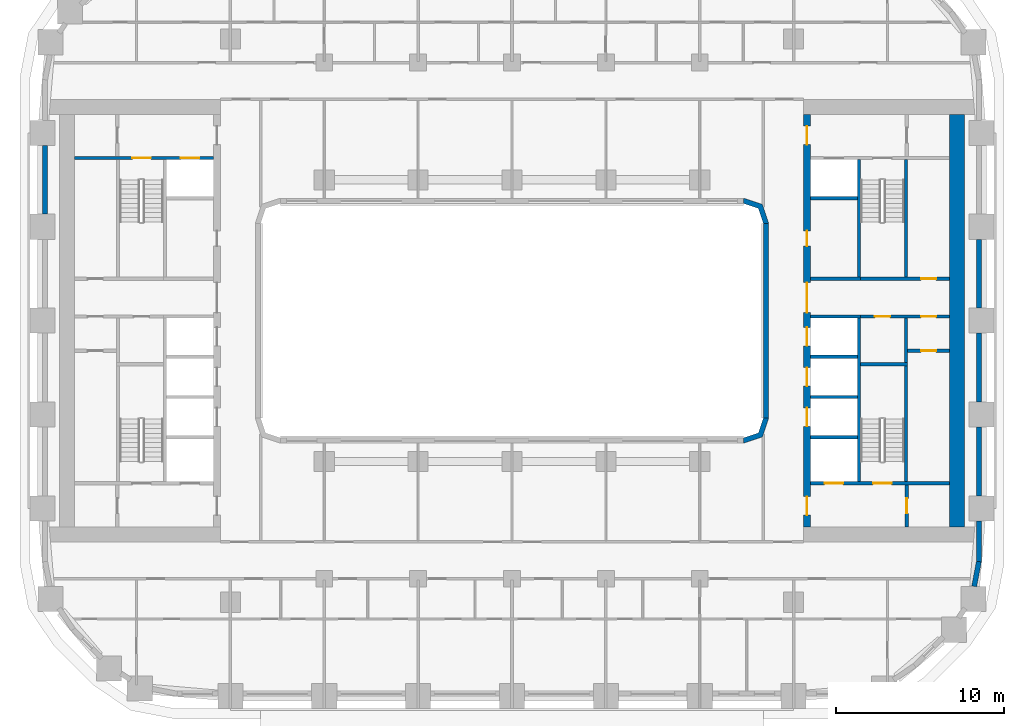
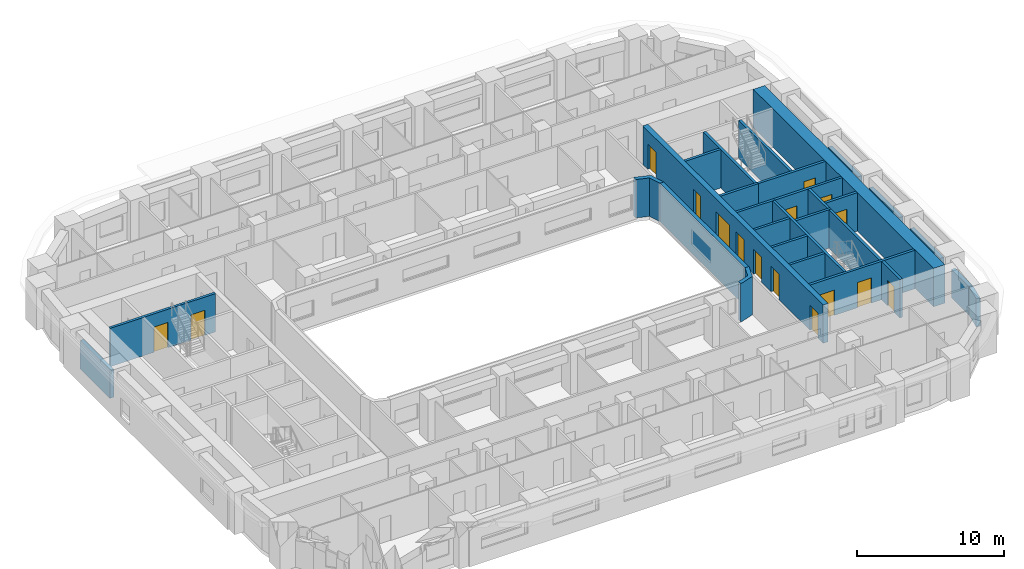
# One storey, part 6 of 20: 29 walls, 16 doors, 16 openings.
"""IFC4 building model written with IfcOpenShell, lengths in metres."""

from ifc_helpers import new_model, si_unit, direction, frame, frame_2d, origin, place, context, subcontext, project, spatial, polyline, rectangle, outline, extrude, material, layer, layer_set, type_object, element, fill, save


model = new_model("IFC4")

# Units and contexts
model_context = context("Model", 3, precision=1e-05, world=origin(), true_north=direction((0.0, 1.0)))
body_context = subcontext(model_context, "Body", "Model", "MODEL_VIEW")
ifc_project = project(units=[si_unit("LENGTHUNIT", "METRE"), si_unit("AREAUNIT", "SQUARE_METRE"), si_unit("VOLUMEUNIT", "CUBIC_METRE"), si_unit("PLANEANGLEUNIT", "RADIAN"), si_unit("MASSUNIT", "GRAM", prefix="KILO")], contexts=[model_context])

# Site, building, storey
site_placement = place(None, origin())
site = spatial("IfcSite", under=ifc_project, at=site_placement, CompositionType="ELEMENT")
building_placement = place(site_placement, origin())
building = spatial("IfcBuilding", under=site, at=building_placement, Name="Kiln Ring Residences", CompositionType="ELEMENT")
storey_placement = place(building_placement, frame((0.0, 0.0, 37.5)))
storey = spatial("IfcBuildingStorey", under=building, at=storey_placement, Name="L08", CompositionType="ELEMENT", Elevation=37.5)

# Wall
ifc_material_1 = material(Name="Gypsum board on steel studs", Category="steel")
ifc_layer_1 = layer(ifc_material_1, 0.199951171875)
ifc_layer_set_1 = layer_set([ifc_layer_1], Name="CORE-PARTITION-200")
wall_type_1 = type_object("IfcWallType", Name="CORE-PARTITION-200", PredefinedType="PARTITIONING", material=ifc_layer_set_1)
wall_1_placement = place(storey_placement, frame((23.5, -2.5, 0.0), z_axis=(0.0, 0.0, 1.0), x_axis=(0.0, 1.0, 0.0)))
element("IfcWall", 1, at=wall_1_placement, inside=storey, type_object=wall_type_1, Name="Core partition east L08 1", PredefinedType="PARTITIONING", context=body_context, shape_type="SweptSolid", body=[
    extrude(rectangle(XDim=2.64990234375, YDim=0.199951171875, at=frame_2d((1.324951171875, 0.0))), origin(), (0.0, 0.0, 1.0), 3.199951171875),
])

# Wall, openings, doors
wall_2_placement = place(storey_placement, frame((20.800048828125, 0.25, 0.0), z_axis=(0.0, 0.0, 1.0), x_axis=(1.0, 0.0, 0.0)))
wall_2 = element("IfcWall", 2, at=wall_2_placement, inside=storey, type_object=wall_type_1, Name="Core partition east L08 2", PredefinedType="PARTITIONING", context=body_context, shape_type="SweptSolid", body=[
    extrude(rectangle(XDim=5.300048828125, YDim=0.199951171875, at=frame_2d((2.64990234375, 0.0))), origin(), (0.0, 0.0, 1.0), 3.199951171875),
])
opening_1_placement = place(wall_2_placement, frame((0.85009765625, 0.0, 0.0)))
opening_1 = element("IfcOpeningElement", 3, at=opening_1_placement, cuts=wall_2, Name="Opening L08-CE14", PredefinedType="OPENING", context=body_context, shape_type="SweptSolid", body=[
    extrude(rectangle(XDim=0.89990234375, YDim=2.10009765625, at=frame_2d((0.449951171875, 1.050048828125))), frame((0.0, 0.10986328125, 0.0), z_axis=(0.0, -1.0, 0.0), x_axis=(1.0, 0.0, 0.0)), (0.0, 0.0, 1.0), 0.219970703125),
])
opening_2_placement = place(wall_2_placement, frame((3.60009765625, 0.0, 0.0)))
opening_2 = element("IfcOpeningElement", 4, at=opening_2_placement, cuts=wall_2, Name="Opening L08-CE16", PredefinedType="OPENING", context=body_context, shape_type="SweptSolid", body=[
    extrude(rectangle(XDim=0.89990234375, YDim=2.10009765625, at=frame_2d((0.449951171875, 1.050048828125))), frame((0.0, 0.10986328125, 0.0), z_axis=(0.0, -1.0, 0.0), x_axis=(1.0, 0.0, 0.0)), (0.0, 0.0, 1.0), 0.219970703125),
])
ifc_material_2 = material(Name="Steel door leaf", Category="steel")
door_type_1 = type_object("IfcDoorType", Name="CORE-DOOR-ROOM", OperationType="SINGLE_SWING_LEFT", PredefinedType="DOOR", material=ifc_material_2)
door_1_placement = place(opening_1_placement, origin())
door_1 = element("IfcDoor", 5, at=door_1_placement, inside=storey, type_object=door_type_1, Name="Linen store L08-CE14", OperationType="SINGLE_SWING_LEFT", OverallHeight=2.10009765625, OverallWidth=0.89990234375, PredefinedType="DOOR", context=body_context, shape_type="SweptSolid", body=[
    extrude(rectangle(XDim=0.89990234375, YDim=2.10009765625, at=frame_2d((0.449951171875, 1.050048828125))), frame((0.0, 0.02490234375, 0.0), z_axis=(0.0, -1.0, 0.0), x_axis=(1.0, 0.0, 0.0)), (0.0, 0.0, 1.0), 0.050048828125),
])
fill(opening_1, door_1)
door_2_placement = place(opening_2_placement, origin())
door_2 = element("IfcDoor", 6, at=door_2_placement, inside=storey, type_object=door_type_1, Name="Pump and valve room L08-CE16", OperationType="SINGLE_SWING_LEFT", OverallHeight=2.10009765625, OverallWidth=0.89990234375, PredefinedType="DOOR", context=body_context, shape_type="SweptSolid", body=[
    extrude(rectangle(XDim=0.89990234375, YDim=2.10009765625, at=frame_2d((0.449951171875, 1.050048828125))), frame((0.0, 0.02490234375, 0.0), z_axis=(0.0, -1.0, 0.0), x_axis=(1.0, 0.0, 0.0)), (0.0, 0.0, 1.0), 0.050048828125),
])
fill(opening_2, door_2)

# Wall, opening, door
wall_3_placement = place(storey_placement, frame((23.550048828125, -12.300048828125, 0.0), z_axis=(0.0, 0.0, 1.0), x_axis=(0.0, 1.0, 0.0)))
wall_3 = element("IfcWall", 7, at=wall_3_placement, inside=storey, type_object=wall_type_1, Name="Core partition east L08 4", PredefinedType="PARTITIONING", context=body_context, shape_type="SweptSolid", body=[
    extrude(rectangle(XDim=2.5, YDim=0.199951171875, at=frame_2d((1.25, 0.0))), origin(), (0.0, 0.0, 1.0), 3.199951171875),
])
opening_3_placement = place(wall_3_placement, frame((0.800048828125, 0.0, 0.0)))
opening_3 = element("IfcOpeningElement", 8, at=opening_3_placement, cuts=wall_3, Name="Opening L08-CE10", PredefinedType="OPENING", context=body_context, shape_type="SweptSolid", body=[
    extrude(rectangle(XDim=0.89990234375, YDim=2.10009765625, at=frame_2d((0.449951171875, 1.050048828125))), frame((0.0, 0.10986328125, 0.0), z_axis=(0.0, -1.0, 0.0), x_axis=(1.0, 0.0, 0.0)), (0.0, 0.0, 1.0), 0.219970703125),
])
door_3_placement = place(opening_3_placement, origin())
door_3 = element("IfcDoor", 9, at=door_3_placement, inside=storey, type_object=door_type_1, Name="Store L08-CE10", OperationType="SINGLE_SWING_LEFT", OverallHeight=2.10009765625, OverallWidth=0.89990234375, PredefinedType="DOOR", context=body_context, shape_type="SweptSolid", body=[
    extrude(rectangle(XDim=0.89990234375, YDim=2.10009765625, at=frame_2d((0.449951171875, 1.050048828125))), frame((0.0, 0.02490234375, 0.0), z_axis=(0.0, -1.0, 0.0), x_axis=(1.0, 0.0, 0.0)), (0.0, 0.0, 1.0), 0.050048828125),
])
fill(opening_3, door_3)

wall_4_placement = place(storey_placement, frame((23.60009765625, -1.800048828125, 0.0), z_axis=(0.0, 0.0, 1.0), x_axis=(1.0, 0.0, 0.0)))
wall_4 = element("IfcWall", 10, at=wall_4_placement, inside=storey, type_object=wall_type_1, Name="Core partition east L08 5", PredefinedType="PARTITIONING", context=body_context, shape_type="SweptSolid", body=[
    extrude(rectangle(XDim=2.5, YDim=0.199951171875, at=frame_2d((1.25, 0.0))), origin(), (0.0, 0.0, 1.0), 3.199951171875),
])
opening_4_placement = place(wall_4_placement, frame((0.800048828125, 0.0, 0.0)))
opening_4 = element("IfcOpeningElement", 11, at=opening_4_placement, cuts=wall_4, Name="Opening L08-CE15", PredefinedType="OPENING", context=body_context, shape_type="SweptSolid", body=[
    extrude(rectangle(XDim=0.89990234375, YDim=2.10009765625, at=frame_2d((0.449951171875, 1.050048828125))), frame((0.0, 0.10986328125, 0.0), z_axis=(0.0, -1.0, 0.0), x_axis=(1.0, 0.0, 0.0)), (0.0, 0.0, 1.0), 0.219970703125),
])
door_4_placement = place(opening_4_placement, origin())
door_4 = element("IfcDoor", 12, at=door_4_placement, inside=storey, type_object=door_type_1, Name="Pump and valve room L08-CE15", OperationType="SINGLE_SWING_LEFT", OverallHeight=2.10009765625, OverallWidth=0.89990234375, PredefinedType="DOOR", context=body_context, shape_type="SweptSolid", body=[
    extrude(rectangle(XDim=0.89990234375, YDim=2.10009765625, at=frame_2d((0.449951171875, 1.050048828125))), frame((0.0, 0.02490234375, 0.0), z_axis=(0.0, -1.0, 0.0), x_axis=(1.0, 0.0, 0.0)), (0.0, 0.0, 1.0), 0.050048828125),
])
fill(opening_4, door_4)

# Walls
ifc_material_3 = material(Name="Gypsum shaft wall system")
ifc_layer_2 = layer(ifc_material_3, 0.199951171875)
ifc_layer_set_2 = layer_set([ifc_layer_2], Name="CORE-SHAFT-WALL-200")
wall_type_2 = type_object("IfcWallType", Name="CORE-SHAFT-WALL-200", PredefinedType="PARTITIONING", material=ifc_layer_set_2)
for number, where, z_axis, x_axis, name in (
    (13, (17.800048828125, -6.949951171875, 0.0), (0.0, 0.0, 1.0), (1.0, 0.0, 0.0), "Core partition east L08 6"),
    (14, (17.800048828125, -4.550048828125, 0.0), (0.0, 0.0, 1.0), (1.0, 0.0, 0.0), "Core partition east L08 7"),
    (15, (17.800048828125, -2.14990234375, 0.0), (0.0, 0.0, 1.0), (1.0, 0.0, 0.0), "Core partition east L08 8"),
):
    element("IfcWall", number, at=place(storey_placement, frame(where, z_axis=z_axis, x_axis=x_axis)), inside=storey, type_object=wall_type_2, Name=name, PredefinedType="PARTITIONING", context=body_context, shape_type="SweptSolid", body=[
        extrude(rectangle(XDim=2.800048828125, YDim=0.199951171875, at=frame_2d((1.39990234375, 0.0))), origin(), (0.0, 0.0, 1.0), 3.199951171875),
    ])
for number, where, z_axis, x_axis, name in (
    (16, (17.800048828125, 0.25, 0.0), (0.0, 0.0, 1.0), (1.0, 0.0, 0.0), "Core partition east L08 9"),
    (17, (17.800048828125, 2.5, 0.0), (0.0, 0.0, 1.0), (1.0, 0.0, 0.0), "Core partition east L08 10"),
):
    element("IfcWall", number, at=place(storey_placement, frame(where, z_axis=z_axis, x_axis=x_axis)), inside=storey, type_object=wall_type_2, Name=name, PredefinedType="PARTITIONING", context=body_context, shape_type="SweptSolid", body=[
        extrude(rectangle(XDim=3.0, YDim=0.199951171875, at=frame_2d((1.5, 0.0))), origin(), (0.0, 0.0, 1.0), 3.199951171875),
    ])
wall_5_placement = place(storey_placement, frame((17.800048828125, 7.300048828125, 0.0), z_axis=(0.0, 0.0, 1.0), x_axis=(1.0, 0.0, 0.0)))
element("IfcWall", 18, at=wall_5_placement, inside=storey, type_object=wall_type_2, Name="Core partition east L08 11", PredefinedType="PARTITIONING", context=body_context, shape_type="SweptSolid", body=[
    extrude(rectangle(XDim=2.800048828125, YDim=0.199951171875, at=frame_2d((1.39990234375, 0.0))), origin(), (0.0, 0.0, 1.0), 3.199951171875),
])

# Wall, openings, doors
ifc_material_4 = material(Name="Concrete C40/50", Category="concrete")
ifc_layer_3 = layer(ifc_material_4, 0.199951171875)
ifc_layer_set_3 = layer_set([ifc_layer_3], Name="CORE-WALL-RC200")
wall_type_3 = type_object("IfcWallType", Name="CORE-WALL-RC200", PredefinedType="SHEAR", material=ifc_layer_set_3)
wall_6_placement = place(storey_placement, frame((-17.800048828125, 9.699951171875, 0.0), z_axis=(0.0, 0.0, 1.0), x_axis=(-1.0, 0.0, 0.0)))
wall_6 = element("IfcWall", 19, at=wall_6_placement, inside=storey, type_object=wall_type_3, Name="Core wall west L08 9", PredefinedType="SHEAR", context=body_context, shape_type="SweptSolid", body=[
    extrude(rectangle(XDim=8.300048828125, YDim=0.199951171875, at=frame_2d((4.14990234375, 0.0))), origin(), (0.0, 0.0, 1.0), 3.199951171875),
])
opening_5_placement = place(wall_6_placement, frame((0.85009765625, 0.0, 0.0)))
opening_5 = element("IfcOpeningElement", 20, at=opening_5_placement, cuts=wall_6, Name="Opening L08-CW06", PredefinedType="OPENING", context=body_context, shape_type="SweptSolid", body=[
    extrude(rectangle(XDim=1.10009765625, YDim=2.10009765625, at=frame_2d((0.550048828125, 1.050048828125))), frame((0.0, 0.10986328125, 0.0), z_axis=(0.0, -1.0, 0.0), x_axis=(1.0, 0.0, 0.0)), (0.0, 0.0, 1.0), 0.219970703125),
])
opening_6_placement = place(wall_6_placement, frame((3.75, 0.0, 0.0)))
opening_6 = element("IfcOpeningElement", 21, at=opening_6_placement, cuts=wall_6, Name="Opening L08-CW11", PredefinedType="OPENING", context=body_context, shape_type="SweptSolid", body=[
    extrude(rectangle(XDim=1.10009765625, YDim=2.10009765625, at=frame_2d((0.550048828125, 1.050048828125))), frame((0.0, 0.10986328125, 0.0), z_axis=(0.0, -1.0, 0.0), x_axis=(1.0, 0.0, 0.0)), (0.0, 0.0, 1.0), 0.219970703125),
])
ifc_material_5 = material(Name="Steel door leaf", Category="steel")
door_type_2 = type_object("IfcDoorType", Name="CORE-DOOR-LD", OperationType="DOUBLE_DOOR_SLIDING", PredefinedType="DOOR", material=ifc_material_5)
door_5_placement = place(opening_5_placement, origin())
door_5 = element("IfcDoor", 22, at=door_5_placement, inside=storey, type_object=door_type_2, Name="LD W-FF L08-CW06", OperationType="DOUBLE_DOOR_SLIDING", OverallHeight=2.10009765625, OverallWidth=1.10009765625, PredefinedType="DOOR", context=body_context, shape_type="SweptSolid", body=[
    extrude(rectangle(XDim=1.10009765625, YDim=2.10009765625, at=frame_2d((0.550048828125, 1.050048828125))), frame((0.0, 0.02490234375, 0.0), z_axis=(0.0, -1.0, 0.0), x_axis=(1.0, 0.0, 0.0)), (0.0, 0.0, 1.0), 0.050048828125),
])
fill(opening_5, door_5)
ifc_material_6 = material(Name="Steel door leaf", Category="steel")
door_type_3 = type_object("IfcDoorType", Name="CORE-DOOR-STAIR", OperationType="SINGLE_SWING_LEFT", PredefinedType="DOOR", material=ifc_material_6)
door_6_placement = place(opening_6_placement, origin())
door_6 = element("IfcDoor", 23, at=door_6_placement, inside=storey, type_object=door_type_3, Name="Stair W-STN L08-CW11", OperationType="SINGLE_SWING_LEFT", OverallHeight=2.10009765625, OverallWidth=1.10009765625, PredefinedType="DOOR", context=body_context, shape_type="SweptSolid", body=[
    extrude(rectangle(XDim=1.10009765625, YDim=2.10009765625, at=frame_2d((0.550048828125, 1.050048828125))), frame((0.0, 0.02490234375, 0.0), z_axis=(0.0, -1.0, 0.0), x_axis=(1.0, 0.0, 0.0)), (0.0, 0.0, 1.0), 0.050048828125),
])
fill(opening_6, door_6)

# Walls
wall_7_placement = place(storey_placement, frame((20.699951171875, 2.60009765625, 0.0), z_axis=(0.0, 0.0, 1.0), x_axis=(0.0, 1.0, 0.0)))
element("IfcWall", 24, at=wall_7_placement, inside=storey, type_object=wall_type_3, Name="Core wall east L08 1", PredefinedType="SHEAR", context=body_context, shape_type="SweptSolid", body=[
    extrude(rectangle(XDim=7.0, YDim=0.199951171875, at=frame_2d((3.5, 0.0))), origin(), (0.0, 0.0, 1.0), 3.199951171875),
])
wall_8_placement = place(storey_placement, frame((20.699951171875, -9.60009765625, 0.0), z_axis=(0.0, 0.0, 1.0), x_axis=(0.0, 1.0, 0.0)))
element("IfcWall", 25, at=wall_8_placement, inside=storey, type_object=wall_type_3, Name="Core wall east L08 2", PredefinedType="SHEAR", context=body_context, shape_type="SweptSolid", body=[
    extrude(rectangle(XDim=9.75, YDim=0.199951171875, at=frame_2d((4.875, 0.0))), origin(), (0.0, 0.0, 1.0), 3.199951171875),
])

# Wall, opening, door
wall_9_placement = place(storey_placement, frame((20.800048828125, 2.5, 0.0), z_axis=(0.0, 0.0, 1.0), x_axis=(1.0, 0.0, 0.0)))
wall_9 = element("IfcWall", 26, at=wall_9_placement, inside=storey, type_object=wall_type_3, Name="Core wall east L08 3", PredefinedType="SHEAR", context=body_context, shape_type="SweptSolid", body=[
    extrude(rectangle(XDim=5.300048828125, YDim=0.199951171875, at=frame_2d((2.64990234375, 0.0))), origin(), (0.0, 0.0, 1.0), 3.199951171875),
])
opening_7_placement = place(wall_9_placement, frame((3.60009765625, 0.0, 0.0)))
opening_7 = element("IfcOpeningElement", 27, at=opening_7_placement, cuts=wall_9, Name="Opening L08-CE17", PredefinedType="OPENING", context=body_context, shape_type="SweptSolid", body=[
    extrude(rectangle(XDim=0.89990234375, YDim=2.10009765625, at=frame_2d((0.449951171875, 1.050048828125))), frame((0.0, 0.10986328125, 0.0), z_axis=(0.0, -1.0, 0.0), x_axis=(1.0, 0.0, 0.0)), (0.0, 0.0, 1.0), 0.219970703125),
])
door_7_placement = place(opening_7_placement, origin())
door_7 = element("IfcDoor", 28, at=door_7_placement, inside=storey, type_object=door_type_1, Name="Electrical plant room L08-CE17", OperationType="SINGLE_SWING_LEFT", OverallHeight=2.10009765625, OverallWidth=0.89990234375, PredefinedType="DOOR", context=body_context, shape_type="SweptSolid", body=[
    extrude(rectangle(XDim=0.89990234375, YDim=2.10009765625, at=frame_2d((0.449951171875, 1.050048828125))), frame((0.0, 0.02490234375, 0.0), z_axis=(0.0, -1.0, 0.0), x_axis=(1.0, 0.0, 0.0)), (0.0, 0.0, 1.0), 0.050048828125),
])
fill(opening_7, door_7)

# Wall, openings, doors
wall_10_placement = place(storey_placement, frame((17.800048828125, -9.699951171875, 0.0), z_axis=(0.0, 0.0, 1.0), x_axis=(1.0, 0.0, 0.0)))
wall_10 = element("IfcWall", 29, at=wall_10_placement, inside=storey, type_object=wall_type_3, Name="Core wall east L08 8", PredefinedType="SHEAR", context=body_context, shape_type="SweptSolid", body=[
    extrude(rectangle(XDim=8.300048828125, YDim=0.199951171875, at=frame_2d((4.14990234375, 0.0))), origin(), (0.0, 0.0, 1.0), 3.199951171875),
])
opening_8_placement = place(wall_10_placement, frame((0.85009765625, 0.0, 0.0)))
opening_8 = element("IfcOpeningElement", 30, at=opening_8_placement, cuts=wall_10, Name="Opening L08-CE01", PredefinedType="OPENING", context=body_context, shape_type="SweptSolid", body=[
    extrude(rectangle(XDim=1.10009765625, YDim=2.10009765625, at=frame_2d((0.550048828125, 1.050048828125))), frame((0.0, 0.10986328125, 0.0), z_axis=(0.0, -1.0, 0.0), x_axis=(1.0, 0.0, 0.0)), (0.0, 0.0, 1.0), 0.219970703125),
])
opening_9_placement = place(wall_10_placement, frame((3.75, 0.0, 0.0)))
opening_9 = element("IfcOpeningElement", 31, at=opening_9_placement, cuts=wall_10, Name="Opening L08-CE12", PredefinedType="OPENING", context=body_context, shape_type="SweptSolid", body=[
    extrude(rectangle(XDim=1.10009765625, YDim=2.10009765625, at=frame_2d((0.550048828125, 1.050048828125))), frame((0.0, 0.10986328125, 0.0), z_axis=(0.0, -1.0, 0.0), x_axis=(1.0, 0.0, 0.0)), (0.0, 0.0, 1.0), 0.219970703125),
])
door_8_placement = place(opening_8_placement, origin())
door_8 = element("IfcDoor", 32, at=door_8_placement, inside=storey, type_object=door_type_2, Name="LD E-SV L08-CE01", OperationType="DOUBLE_DOOR_SLIDING", OverallHeight=2.10009765625, OverallWidth=1.10009765625, PredefinedType="DOOR", context=body_context, shape_type="SweptSolid", body=[
    extrude(rectangle(XDim=1.10009765625, YDim=2.10009765625, at=frame_2d((0.550048828125, 1.050048828125))), frame((0.0, 0.02490234375, 0.0), z_axis=(0.0, -1.0, 0.0), x_axis=(1.0, 0.0, 0.0)), (0.0, 0.0, 1.0), 0.050048828125),
])
fill(opening_8, door_8)
door_9_placement = place(opening_9_placement, origin())
door_9 = element("IfcDoor", 33, at=door_9_placement, inside=storey, type_object=door_type_3, Name="Stair E-STS L08-CE12", OperationType="SINGLE_SWING_RIGHT", OverallHeight=2.10009765625, OverallWidth=1.10009765625, PredefinedType="DOOR", context=body_context, shape_type="SweptSolid", body=[
    extrude(rectangle(XDim=1.10009765625, YDim=2.10009765625, at=frame_2d((0.550048828125, 1.050048828125))), frame((0.0, 0.02490234375, 0.0), z_axis=(0.0, -1.0, 0.0), x_axis=(1.0, 0.0, 0.0)), (0.0, 0.0, 1.0), 0.050048828125),
])
fill(opening_9, door_9)

# Walls
wall_11_placement = place(storey_placement, frame((23.5, 2.60009765625, 0.0), z_axis=(0.0, 0.0, 1.0), x_axis=(0.0, 1.0, 0.0)))
element("IfcWall", 34, at=wall_11_placement, inside=storey, type_object=wall_type_3, Name="Core wall east L08 10", PredefinedType="SHEAR", context=body_context, shape_type="SweptSolid", body=[
    extrude(rectangle(XDim=7.0, YDim=0.199951171875, at=frame_2d((3.5, 0.0))), origin(), (0.0, 0.0, 1.0), 3.199951171875),
])
wall_12_placement = place(storey_placement, frame((23.5, -9.60009765625, 0.0), z_axis=(0.0, 0.0, 1.0), x_axis=(0.0, 1.0, 0.0)))
element("IfcWall", 35, at=wall_12_placement, inside=storey, type_object=wall_type_3, Name="Core wall east L08 11", PredefinedType="SHEAR", context=body_context, shape_type="SweptSolid", body=[
    extrude(rectangle(XDim=6.900146484375, YDim=0.199951171875, at=frame_2d((3.4501953125, 0.0))), origin(), (0.0, 0.0, 1.0), 3.199951171875),
])
wall_13_placement = place(storey_placement, frame((20.800048828125, -2.60009765625, 0.0), z_axis=(0.0, 0.0, 1.0), x_axis=(1.0, 0.0, 0.0)))
element("IfcWall", 36, at=wall_13_placement, inside=storey, type_object=wall_type_3, Name="Core wall east L08 12", PredefinedType="SHEAR", context=body_context, shape_type="SweptSolid", body=[
    extrude(rectangle(XDim=2.800048828125, YDim=0.199951171875, at=frame_2d((1.39990234375, 0.0))), origin(), (0.0, 0.0, 1.0), 3.199951171875),
])

# Wall, openings, doors
ifc_material_7 = material(Name="Concrete C60/75", Category="concrete")
ifc_layer_4 = layer(ifc_material_7, 0.39990234375)
ifc_layer_set_4 = layer_set([ifc_layer_4], Name="CORE-WALL-RC400")
wall_type_4 = type_object("IfcWallType", Name="CORE-WALL-RC400", PredefinedType="SHEAR", material=ifc_layer_set_4)
wall_14_placement = place(storey_placement, frame((17.60009765625, -12.300048828125, 0.0), z_axis=(0.0, 0.0, 1.0), x_axis=(0.0, 1.0, 0.0)))
wall_14 = element("IfcWall", 37, at=wall_14_placement, inside=storey, type_object=wall_type_4, Name="Core wall east L08 6", PredefinedType="SHEAR", context=body_context, shape_type="SweptSolid", body=[
    extrude(rectangle(XDim=24.60009765625, YDim=0.39990234375, at=frame_2d((12.300048828125, 0.0))), origin(), (0.0, 0.0, 1.0), 3.199951171875),
])
opening_10_placement = place(wall_14_placement, frame((6.0, 0.0, 0.0)))
opening_10 = element("IfcOpeningElement", 38, at=opening_10_placement, cuts=wall_14, Name="Opening L08-CE02", PredefinedType="OPENING", context=body_context, shape_type="SweptSolid", body=[
    extrude(rectangle(XDim=1.10009765625, YDim=2.10009765625, at=frame_2d((0.550048828125, 1.050048828125))), frame((0.0, 0.2099609375, 0.0), z_axis=(0.0, -1.0, 0.0), x_axis=(1.0, 0.0, 0.0)), (0.0, 0.0, 1.0), 0.419921875),
])
opening_11_placement = place(wall_14_placement, frame((8.39990234375, 0.0, 0.0)))
opening_11 = element("IfcOpeningElement", 39, at=opening_11_placement, cuts=wall_14, Name="Opening L08-CE03", PredefinedType="OPENING", context=body_context, shape_type="SweptSolid", body=[
    extrude(rectangle(XDim=1.10009765625, YDim=2.10009765625, at=frame_2d((0.550048828125, 1.050048828125))), frame((0.0, 0.2099609375, 0.0), z_axis=(0.0, -1.0, 0.0), x_axis=(1.0, 0.0, 0.0)), (0.0, 0.0, 1.0), 0.419921875),
])
opening_12_placement = place(wall_14_placement, frame((10.800048828125, 0.0, 0.0)))
opening_12 = element("IfcOpeningElement", 40, at=opening_12_placement, cuts=wall_14, Name="Opening L08-CE04", PredefinedType="OPENING", context=body_context, shape_type="SweptSolid", body=[
    extrude(rectangle(XDim=1.10009765625, YDim=2.10009765625, at=frame_2d((0.550048828125, 1.050048828125))), frame((0.0, 0.2099609375, 0.0), z_axis=(0.0, -1.0, 0.0), x_axis=(1.0, 0.0, 0.0)), (0.0, 0.0, 1.0), 0.419921875),
])
opening_13_placement = place(wall_14_placement, frame((16.75, 0.0, 0.0)))
opening_13 = element("IfcOpeningElement", 41, at=opening_13_placement, cuts=wall_14, Name="Opening L08-CE05", PredefinedType="OPENING", context=body_context, shape_type="SweptSolid", body=[
    extrude(rectangle(XDim=0.89990234375, YDim=2.10009765625, at=frame_2d((0.449951171875, 1.050048828125))), frame((0.0, 0.2099609375, 0.0), z_axis=(0.0, -1.0, 0.0), x_axis=(1.0, 0.0, 0.0)), (0.0, 0.0, 1.0), 0.419921875),
])
opening_14_placement = place(wall_14_placement, frame((22.800048828125, 0.0, 0.0)))
opening_14 = element("IfcOpeningElement", 42, at=opening_14_placement, cuts=wall_14, Name="Opening L08-CE07", PredefinedType="OPENING", context=body_context, shape_type="SweptSolid", body=[
    extrude(rectangle(XDim=1.10009765625, YDim=2.10009765625, at=frame_2d((0.550048828125, 1.050048828125))), frame((0.0, 0.2099609375, 0.0), z_axis=(0.0, -1.0, 0.0), x_axis=(1.0, 0.0, 0.0)), (0.0, 0.0, 1.0), 0.419921875),
])
opening_15_placement = place(wall_14_placement, frame((0.699951171875, 0.0, 0.0)))
opening_15 = element("IfcOpeningElement", 43, at=opening_15_placement, cuts=wall_14, Name="Opening L08-CE08", PredefinedType="OPENING", context=body_context, shape_type="SweptSolid", body=[
    extrude(rectangle(XDim=1.10009765625, YDim=2.10009765625, at=frame_2d((0.550048828125, 1.050048828125))), frame((0.0, 0.2099609375, 0.0), z_axis=(0.0, -1.0, 0.0), x_axis=(1.0, 0.0, 0.0)), (0.0, 0.0, 1.0), 0.419921875),
])
opening_16_placement = place(wall_14_placement, frame((12.77490234375, 0.0, 0.0)))
opening_16 = element("IfcOpeningElement", 44, at=opening_16_placement, cuts=wall_14, Name="Opening L08-CE13", PredefinedType="OPENING", context=body_context, shape_type="SweptSolid", body=[
    extrude(rectangle(XDim=1.800048828125, YDim=2.10009765625, at=frame_2d((0.89990234375, 1.050048828125))), frame((0.0, 0.2099609375, 0.0), z_axis=(0.0, -1.0, 0.0), x_axis=(1.0, 0.0, 0.0)), (0.0, 0.0, 1.0), 0.419921875),
])
door_10_placement = place(opening_10_placement, origin())
door_10 = element("IfcDoor", 45, at=door_10_placement, inside=storey, type_object=door_type_2, Name="LD E-L1 L08-CE02", OperationType="DOUBLE_DOOR_SLIDING", OverallHeight=2.10009765625, OverallWidth=1.10009765625, PredefinedType="DOOR", context=body_context, shape_type="SweptSolid", body=[
    extrude(rectangle(XDim=1.10009765625, YDim=2.10009765625, at=frame_2d((0.550048828125, 1.050048828125))), frame((0.0, 0.02490234375, 0.0), z_axis=(0.0, -1.0, 0.0), x_axis=(1.0, 0.0, 0.0)), (0.0, 0.0, 1.0), 0.050048828125),
])
fill(opening_10, door_10)
door_11_placement = place(opening_11_placement, origin())
door_11 = element("IfcDoor", 46, at=door_11_placement, inside=storey, type_object=door_type_2, Name="LD E-L2 L08-CE03", OperationType="DOUBLE_DOOR_SLIDING", OverallHeight=2.10009765625, OverallWidth=1.10009765625, PredefinedType="DOOR", context=body_context, shape_type="SweptSolid", body=[
    extrude(rectangle(XDim=1.10009765625, YDim=2.10009765625, at=frame_2d((0.550048828125, 1.050048828125))), frame((0.0, 0.02490234375, 0.0), z_axis=(0.0, -1.0, 0.0), x_axis=(1.0, 0.0, 0.0)), (0.0, 0.0, 1.0), 0.050048828125),
])
fill(opening_11, door_11)
door_12_placement = place(opening_12_placement, origin())
door_12 = element("IfcDoor", 47, at=door_12_placement, inside=storey, type_object=door_type_2, Name="LD E-L3 L08-CE04", OperationType="DOUBLE_DOOR_SLIDING", OverallHeight=2.10009765625, OverallWidth=1.10009765625, PredefinedType="DOOR", context=body_context, shape_type="SweptSolid", body=[
    extrude(rectangle(XDim=1.10009765625, YDim=2.10009765625, at=frame_2d((0.550048828125, 1.050048828125))), frame((0.0, 0.02490234375, 0.0), z_axis=(0.0, -1.0, 0.0), x_axis=(1.0, 0.0, 0.0)), (0.0, 0.0, 1.0), 0.050048828125),
])
fill(opening_12, door_12)
ifc_material_8 = material(Name="Steel door leaf", Category="steel")
door_type_4 = type_object("IfcDoorType", Name="CORE-DOOR-LOBBY", OperationType="SINGLE_SWING_LEFT", PredefinedType="DOOR", material=ifc_material_8)
door_13_placement = place(opening_14_placement, origin())
door_13 = element("IfcDoor", 48, at=door_13_placement, inside=storey, type_object=door_type_4, Name="FFL L08-CE07", OperationType="SINGLE_SWING_LEFT", OverallHeight=2.10009765625, OverallWidth=1.10009765625, PredefinedType="DOOR", context=body_context, shape_type="SweptSolid", body=[
    extrude(rectangle(XDim=1.10009765625, YDim=2.10009765625, at=frame_2d((0.550048828125, 1.050048828125))), frame((0.0, 0.02490234375, 0.0), z_axis=(0.0, -1.0, 0.0), x_axis=(1.0, 0.0, 0.0)), (0.0, 0.0, 1.0), 0.050048828125),
])
fill(opening_14, door_13)
door_14_placement = place(opening_15_placement, origin())
door_14 = element("IfcDoor", 49, at=door_14_placement, inside=storey, type_object=door_type_4, Name="SVL L08-CE08", OperationType="SINGLE_SWING_RIGHT", OverallHeight=2.10009765625, OverallWidth=1.10009765625, PredefinedType="DOOR", context=body_context, shape_type="SweptSolid", body=[
    extrude(rectangle(XDim=1.10009765625, YDim=2.10009765625, at=frame_2d((0.550048828125, 1.050048828125))), frame((0.0, 0.02490234375, 0.0), z_axis=(0.0, -1.0, 0.0), x_axis=(1.0, 0.0, 0.0)), (0.0, 0.0, 1.0), 0.050048828125),
])
fill(opening_15, door_14)
ifc_material_9 = material(Name="Steel door leaf", Category="steel")
door_type_5 = type_object("IfcDoorType", Name="CORE-DOOR-PASS", OperationType="DOUBLE_DOOR_SINGLE_SWING", PredefinedType="DOOR", material=ifc_material_9)
door_15_placement = place(opening_16_placement, origin())
door_15 = element("IfcDoor", 50, at=door_15_placement, inside=storey, type_object=door_type_5, Name="Core passage L08-CE13", OperationType="DOUBLE_DOOR_SINGLE_SWING", OverallHeight=2.10009765625, OverallWidth=1.800048828125, PredefinedType="DOOR", context=body_context, shape_type="SweptSolid", body=[
    extrude(rectangle(XDim=1.800048828125, YDim=2.10009765625, at=frame_2d((0.89990234375, 1.050048828125))), frame((0.0, 0.02490234375, 0.0), z_axis=(0.0, -1.0, 0.0), x_axis=(1.0, 0.0, 0.0)), (0.0, 0.0, 1.0), 0.050048828125),
])
fill(opening_16, door_15)
door_16_placement = place(opening_13_placement, origin())
door_16 = element("IfcDoor", 51, at=door_16_placement, inside=storey, type_object=door_type_1, Name="Goods store L08-CE05", OperationType="SINGLE_SWING_RIGHT", OverallHeight=2.10009765625, OverallWidth=0.89990234375, PredefinedType="DOOR", context=body_context, shape_type="SweptSolid", body=[
    extrude(rectangle(XDim=0.89990234375, YDim=2.10009765625, at=frame_2d((0.449951171875, 1.050048828125))), frame((0.0, 0.02490234375, 0.0), z_axis=(0.0, -1.0, 0.0), x_axis=(1.0, 0.0, 0.0)), (0.0, 0.0, 1.0), 0.050048828125),
])
fill(opening_13, door_16)

# Walls
ifc_material_10 = material(Name="Concrete C60/75", Category="concrete")
ifc_layer_5 = layer(ifc_material_10, 0.89990234375)
ifc_layer_set_5 = layer_set([ifc_layer_5], Name="CORE-WALL-RC900")
wall_type_5 = type_object("IfcWallType", Name="CORE-WALL-RC900", PredefinedType="SHEAR", material=ifc_layer_set_5)
wall_15_placement = place(storey_placement, frame((26.550048828125, -12.300048828125, 0.0), z_axis=(0.0, 0.0, 1.0), x_axis=(0.0, 1.0, 0.0)))
element("IfcWall", 52, at=wall_15_placement, inside=storey, type_object=wall_type_5, Name="Core wall east L08 7", PredefinedType="SHEAR", context=body_context, shape_type="SweptSolid", body=[
    extrude(rectangle(XDim=24.60009765625, YDim=0.89990234375, at=frame_2d((12.300048828125, 0.0))), origin(), (0.0, 0.0, 1.0), 3.199951171875),
])
ifc_material_11 = material(Name="Brick masonry, dark clay brick", Category="masonry")
ifc_layer_6 = layer(ifc_material_11, 0.300048828125)
ifc_layer_set_6 = layer_set([ifc_layer_6], Name="EW-300 BRICK WALL")
wall_type_6 = type_object("IfcWallType", Name="EW-300 BRICK WALL", PredefinedType="SOLIDWALL", material=ifc_layer_set_6)
wall_16_placement = place(storey_placement, frame((27.570556640625, -15.851318359375, 0.0), z_axis=(0.0, 0.0, 1.0), x_axis=(0.187223837635, 0.982317277982, 0.0)))
element("IfcWall", 53, at=wall_16_placement, inside=storey, type_object=wall_type_6, Name="Facade wall L08 16", PredefinedType="SOLIDWALL", context=body_context, shape_type="SweptSolid", body=[
    extrude(rectangle(XDim=1.506103515625, YDim=0.300048828125, at=frame_2d((0.7529296875, 0.0))), origin(), (0.0, 0.0, 1.0), 2.35009765625),
])
wall_17_placement = place(storey_placement, frame((27.85009765625, -14.39990234375, 0.0), z_axis=(0.0, 0.0, 1.0), x_axis=(0.0, 1.0, 0.0)))
element("IfcWall", 54, at=wall_17_placement, inside=storey, type_object=wall_type_6, Name="Facade wall L08 17", PredefinedType="SOLIDWALL", context=body_context, shape_type="SweptSolid", body=[
    extrude(rectangle(XDim=2.449951171875, YDim=0.300048828125, at=frame_2d((1.22509765625, 0.0))), origin(), (0.0, 0.0, 1.0), 2.35009765625),
])
wall_18_placement = place(storey_placement, frame((27.85009765625, -10.449951171875, 0.0), z_axis=(0.0, 0.0, 1.0), x_axis=(0.0, 1.0, 0.0)))
element("IfcWall", 55, at=wall_18_placement, inside=storey, type_object=wall_type_6, Name="Facade wall L08 18", PredefinedType="SOLIDWALL", context=body_context, shape_type="SweptSolid", body=[
    extrude(rectangle(XDim=4.099853515625, YDim=0.300048828125, at=frame_2d((2.0498046875, 0.0))), origin(), (0.0, 0.0, 1.0), 2.35009765625),
])
for number, where, z_axis, x_axis, name in (
    (56, (27.85009765625, -4.85009765625, 0.0), (0.0, 0.0, 1.0), (0.0, 1.0, 0.0), "Facade wall L08 19"),
    (57, (27.85009765625, 0.75, 0.0), (0.0, 0.0, 1.0), (0.0, 1.0, 0.0), "Facade wall L08 20"),
):
    element("IfcWall", number, at=place(storey_placement, frame(where, z_axis=z_axis, x_axis=x_axis)), inside=storey, type_object=wall_type_6, Name=name, PredefinedType="SOLIDWALL", context=body_context, shape_type="SweptSolid", body=[
        extrude(rectangle(XDim=4.10009765625, YDim=0.300048828125, at=frame_2d((2.050048828125, 0.0))), origin(), (0.0, 0.0, 1.0), 2.35009765625),
    ])
wall_19_placement = place(storey_placement, frame((-27.85009765625, 10.449951171875, 0.0), z_axis=(0.0, 0.0, 1.0), x_axis=(0.0, -1.0, 0.0)))
element("IfcWall", 58, at=wall_19_placement, inside=storey, type_object=wall_type_6, Name="Facade wall L08 42", PredefinedType="SOLIDWALL", context=body_context, shape_type="SweptSolid", body=[
    extrude(rectangle(XDim=4.099853515625, YDim=0.300048828125, at=frame_2d((2.0498046875, 0.0))), origin(), (0.0, 0.0, 1.0), 2.35009765625),
])
wall_20_placement = place(storey_placement, frame((15.14990234375, 5.800048828125, 0.0), z_axis=(0.0, 0.0, 1.0), x_axis=(0.0, -1.0, 0.0)))
element("IfcWall", 59, at=wall_20_placement, inside=storey, type_object=wall_type_6, Name="Facade wall L08 51", PredefinedType="SOLIDWALL", context=body_context, shape_type="SweptSolid", body=[
    extrude(rectangle(XDim=11.60009765625, YDim=0.300048828125, at=frame_2d((5.800048828125, 0.0))), origin(), (0.0, 0.0, 1.0), 3.199951171875),
])
placement = place(storey_placement, origin())
element("IfcWall", 60, at=placement, inside=storey, type_object=wall_type_6, Name="Corner wall L08 2", PredefinedType="SOLIDWALL", context=body_context, shape_type="SweptSolid", body=[
    extrude(outline(polyline([(14.937255859375, 6.937255859375), (13.8486328125, 7.300048828125), (13.800048828125, 7.300048828125), (13.800048828125, 7.0), (14.699951171875, 6.699951171875), (15.0, 5.800048828125), (15.300048828125, 5.800048828125), (15.300048828125, 5.8486328125), (14.937255859375, 6.937255859375)])), origin(), (0.0, 0.0, 1.0), 3.199951171875),
])
element("IfcWall", 61, at=placement, inside=storey, type_object=wall_type_6, Name="Corner wall L08 3", PredefinedType="SOLIDWALL", context=body_context, shape_type="SweptSolid", body=[
    extrude(outline(polyline([(14.937255859375, -6.937255859375), (15.300048828125, -5.8486328125), (15.300048828125, -5.800048828125), (15.0, -5.800048828125), (14.699951171875, -6.699951171875), (13.800048828125, -7.0), (13.800048828125, -7.300048828125), (13.8486328125, -7.300048828125), (14.937255859375, -6.937255859375)])), origin(), (0.0, 0.0, 1.0), 3.199951171875),
])

save(model, "model.ifc")
